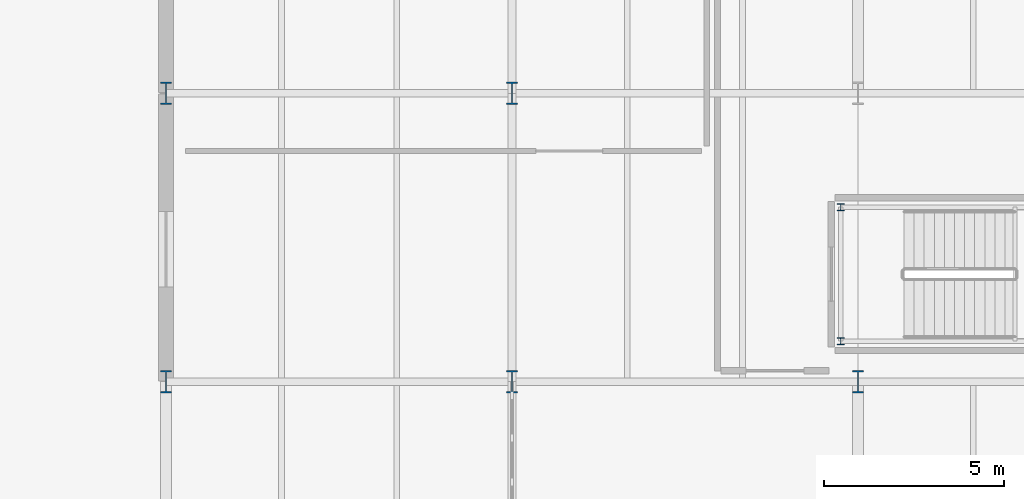
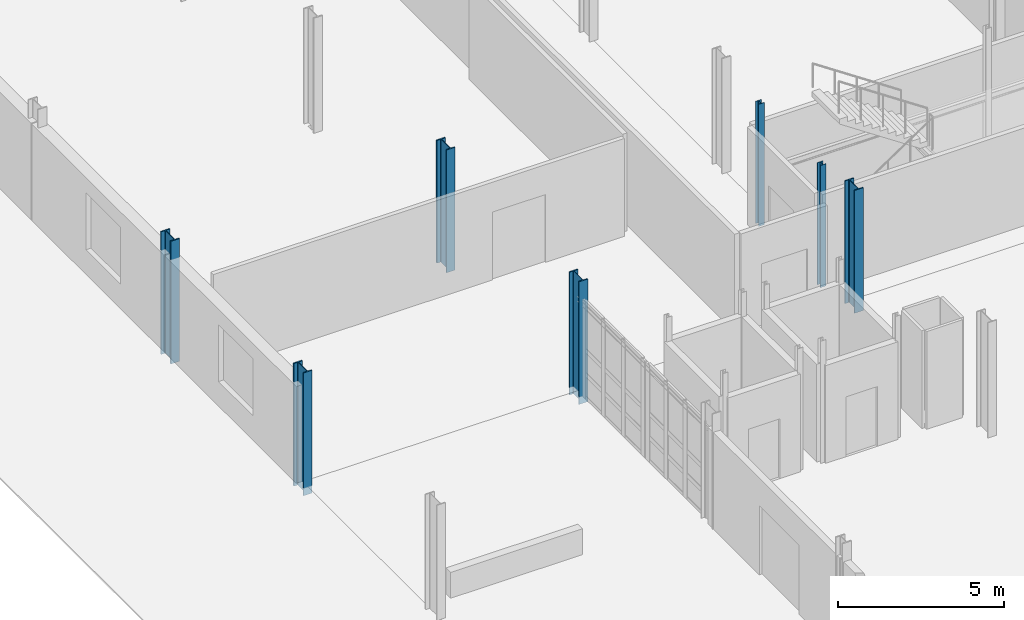
# One storey, part 10 of 78: 7 columns.
"""IFC4 building model written with IfcOpenShell, lengths in metres."""

from ifc_helpers import new_model, si_unit, direction, frame, origin, origin_2d, place, context, subcontext, project, spatial, i_section, extrude, material, material_profile, profile_set, type_object, element, save


model = new_model("IFC4")

# Units and contexts
model_context = context("Model", 3, precision=1e-05, world=origin(), true_north=direction((0.0, 1.0)))
body_context = subcontext(model_context, "Body", "Model", "MODEL_VIEW")
ifc_project = project(units=[si_unit("LENGTHUNIT", "METRE"), si_unit("AREAUNIT", "SQUARE_METRE"), si_unit("VOLUMEUNIT", "CUBIC_METRE"), si_unit("PLANEANGLEUNIT", "RADIAN"), si_unit("MASSUNIT", "GRAM", prefix="KILO")], contexts=[model_context])

# Site, building, storey
site_placement = place(None, origin())
site = spatial("IfcSite", under=ifc_project, at=site_placement, CompositionType="ELEMENT")
building_placement = place(site_placement, origin())
building = spatial("IfcBuilding", under=site, at=building_placement, Name="Alderhovde Museum", CompositionType="ELEMENT")
storey_placement = place(building_placement, origin())
storey = spatial("IfcBuildingStorey", under=building, at=storey_placement, Name="L00", CompositionType="ELEMENT", Elevation=0.0)

# Columns
ifc_material_1 = material(Name="Steel S355J2", Category="steel")
ifc_material_profile_1 = material_profile(ifc_material_1, i_section(OverallWidth=0.199951171875, OverallDepth=0.18994140625, WebThickness=0.006591796875, FlangeThickness=0.010009765625, FilletRadius=0.01806640625, at=origin_2d()), Name="HEA 200")
ifc_profile_set_1 = profile_set([ifc_material_profile_1], Name="Steel S355J2")
column_type_1 = type_object("IfcColumnType", Name="COL-HEA200", PredefinedType="COLUMN", material=ifc_profile_set_1)
for number, where, z_axis, x_axis, name in (
    (1, (28.320068359375, 81.1201171875, 0.0), (0.0, 0.0, 1.0), (1.0, 0.0, 0.0), "L00 Stair ST2 Shaft Column 1"),
    (2, (28.320068359375, 84.840087890625, 0.0), (0.0, 0.0, 1.0), (1.0, 0.0, 0.0), "L00 Stair ST2 Shaft Column 4"),
):
    element("IfcColumn", number, at=place(storey_placement, frame(where, z_axis=z_axis, x_axis=x_axis)), inside=storey, type_object=column_type_1, Name=name, PredefinedType="COLUMN", context=body_context, shape_type="SweptSolid", body=[
        extrude(i_section(OverallWidth=0.199951171875, OverallDepth=0.18994140625, WebThickness=0.006591796875, FlangeThickness=0.010009765625, FilletRadius=0.01806640625, at=origin_2d()), origin(), (0.0, 0.0, 1.0), 4.5),
    ])
ifc_material_2 = material(Name="Steel S355J2", Category="steel")
ifc_material_profile_2 = material_profile(ifc_material_2, i_section(OverallWidth=0.304931640625, OverallDepth=0.6201171875, WebThickness=0.02099609375, FlangeThickness=0.0400390625, FilletRadius=0.027099609375, at=origin_2d()), Name="HEM 600")
ifc_profile_set_2 = profile_set([ifc_material_profile_2], Name="Steel S355J2")
column_type_2 = type_object("IfcColumnType", Name="COL-HEM600", PredefinedType="COLUMN", material=ifc_profile_set_2)
for number, where, z_axis, x_axis, name in (
    (3, (9.60009765625, 80.0, -0.280029296875), (0.0, 0.0, 1.0), (1.0, 0.0, 0.0), "L00 Column (9.6, 80.0)"),
    (4, (9.60009765625, 88.0, -0.280029296875), (0.0, 0.0, 1.0), (1.0, 0.0, 0.0), "L00 Column (9.6, 88.0)"),
    (5, (19.199951171875, 80.0, -0.280029296875), (0.0, 0.0, 1.0), (1.0, 0.0, 0.0), "L00 Column (19.2, 80.0)"),
    (6, (19.199951171875, 88.0, -0.280029296875), (0.0, 0.0, 1.0), (1.0, 0.0, 0.0), "L00 Column (19.2, 88.0)"),
    (7, (28.800048828125, 80.0, -0.280029296875), (0.0, 0.0, 1.0), (1.0, 0.0, 0.0), "L00 Column (28.8, 80.0)"),
):
    element("IfcColumn", number, at=place(storey_placement, frame(where, z_axis=z_axis, x_axis=x_axis)), inside=storey, type_object=column_type_2, Name=name, PredefinedType="COLUMN", context=body_context, shape_type="SweptSolid", body=[
        extrude(i_section(OverallWidth=0.304931640625, OverallDepth=0.6201171875, WebThickness=0.02099609375, FlangeThickness=0.0400390625, FilletRadius=0.027099609375, at=origin_2d()), origin(), (0.0, 0.0, 1.0), 4.52001953125),
    ])

save(model, "model.ifc")
